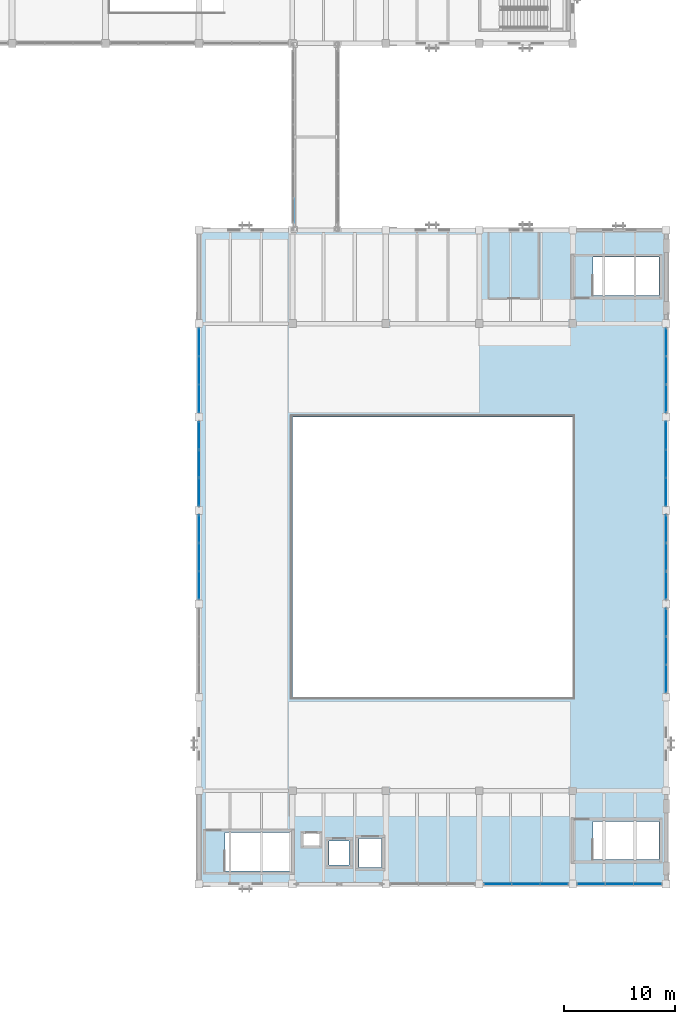
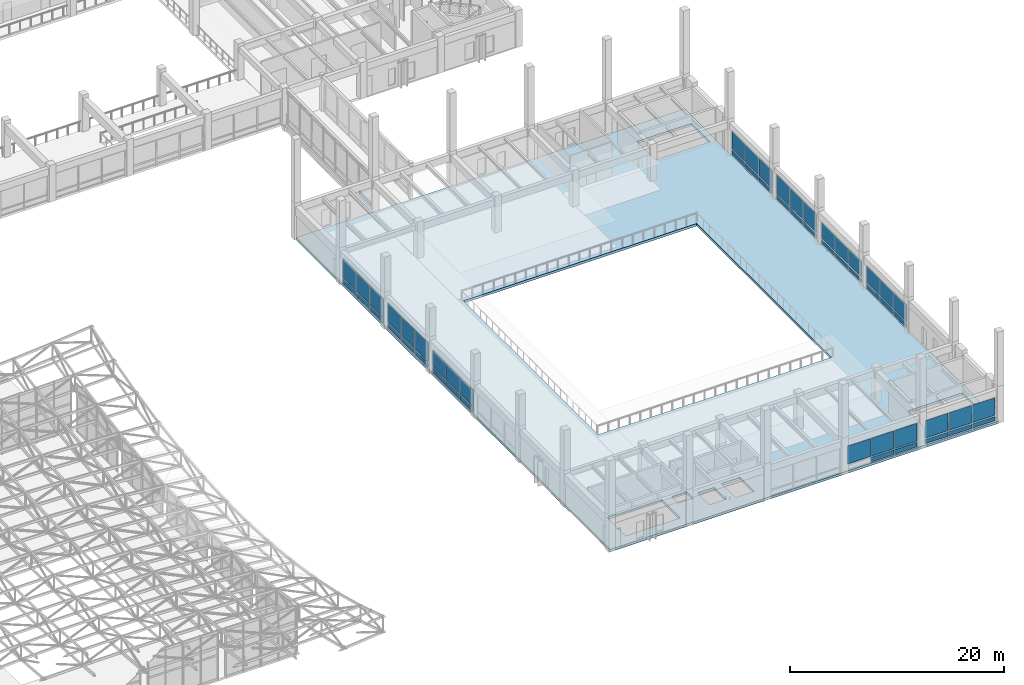
# One storey, part 68 of 132: 54 plates, 1 slab, 10 elements without a shape of their own.
"""IFC4 building model written with IfcOpenShell, lengths in metres."""

from ifc_helpers import new_model, si_unit, direction, frame, origin, origin_2d, place, context, subcontext, project, spatial, polyline, rectangle, outline, extrude, material, layer, layer_set, type_object, element, aggregate, save


model = new_model("IFC4")

# Units and contexts
model_context = context("Model", 3, precision=1e-05, world=origin(), true_north=direction((0.0, 1.0)))
body_context = subcontext(model_context, "Body", "Model", "MODEL_VIEW")
ifc_project = project(units=[si_unit("LENGTHUNIT", "METRE"), si_unit("AREAUNIT", "SQUARE_METRE"), si_unit("VOLUMEUNIT", "CUBIC_METRE"), si_unit("PLANEANGLEUNIT", "RADIAN"), si_unit("MASSUNIT", "GRAM", prefix="KILO")], contexts=[model_context])

# Site, building, storey
site_placement = place(None, origin())
site = spatial("IfcSite", under=ifc_project, at=site_placement, CompositionType="ELEMENT")
building_placement = place(site_placement, origin())
building = spatial("IfcBuilding", under=site, at=building_placement, Name="Cumbredor Promenade Congress Hotel", CompositionType="ELEMENT")
storey_placement = place(building_placement, frame((0.0, 0.0, 7.56005859375)))
storey = spatial("IfcBuildingStorey", under=building, at=storey_placement, Name="L02", CompositionType="ELEMENT", Elevation=7.56005859375)

# Slab
ifc_material_1 = material(Name="Concrete C40/50", Category="concrete")
ifc_layer_1 = layer(ifc_material_1, 0.280029296875, Name="Concrete C40/50", Category="concrete")
ifc_layer_set_1 = layer_set([ifc_layer_1], Name="Concrete C40/50")
slab_type = type_object("IfcSlabType", Name="Gallery Floor Slab 280mm", PredefinedType="FLOOR", material=ifc_layer_set_1)
slab_placement = place(storey_placement, frame((0.0, 0.0, -0.280029296875)))
element("IfcSlab", 1, at=slab_placement, inside=storey, type_object=slab_type, Name="L02 Grand Ballroom Pavilion Floor Slab", PredefinedType="FLOOR", context=body_context, shape_type="SweptSolid", body=[
    extrude(outline(polyline([(142.800048828125, 8.39990234375), (184.800048828125, 8.39990234375), (184.800048828125, 67.199951171875), (142.800048828125, 67.199951171875), (142.800048828125, 8.39990234375)]), holes=[polyline([(145.14990234375, 9.60009765625), (151.050048828125, 9.60009765625), (151.050048828125, 13.050048828125), (145.14990234375, 13.050048828125), (145.14990234375, 9.60009765625)]), polyline([(178.25, 10.60009765625), (184.14990234375, 10.60009765625), (184.14990234375, 14.050048828125), (178.25, 14.050048828125), (178.25, 10.60009765625)]), polyline([(178.25, 61.35009765625), (184.14990234375, 61.35009765625), (184.14990234375, 64.800048828125), (178.25, 64.800048828125), (178.25, 61.35009765625)]), polyline([(154.5, 10.10009765625), (156.300048828125, 10.10009765625), (156.300048828125, 12.300048828125), (154.5, 12.300048828125), (154.5, 10.10009765625)]), polyline([(157.199951171875, 9.89990234375), (159.199951171875, 9.89990234375), (159.199951171875, 12.5), (157.199951171875, 12.5), (157.199951171875, 9.89990234375)]), polyline([(152.10009765625, 11.800048828125), (153.699951171875, 11.800048828125), (153.699951171875, 13.0), (152.10009765625, 13.0), (152.10009765625, 11.800048828125)]), polyline([(151.199951171875, 25.199951171875), (176.39990234375, 25.199951171875), (176.39990234375, 50.39990234375), (151.199951171875, 50.39990234375), (151.199951171875, 25.199951171875)])]), origin(), (0.0, 0.0, 1.0), 0.280029296875),
])

# Curtain wall, plates
ifc_material_2 = material(Name="Thermally broken anodized aluminium and low-E glass", Category="aluminium")
curtain_wall_type_1 = type_object("IfcCurtainWallType", Name="Unitised Bronze Curtain Wall CW-01", PredefinedType="NOTDEFINED", material=ifc_material_2)
curtain_wall_1_placement = place(storey_placement, origin())
curtain_wall_1 = element("IfcCurtainWall", 2, at=curtain_wall_1_placement, inside=storey, type_object=curtain_wall_type_1, Name="L02 Grand Ballroom Pavilion West Curtain Wall 6", PredefinedType="NOTDEFINED")
ifc_material_3 = material(Name="Laminated low-E solar-control glass", Category="glass")
ifc_layer_2 = layer(ifc_material_3, 0.028076171875, Name="Laminated low-E solar-control glass", Category="glass")
ifc_layer_set_2 = layer_set([ifc_layer_2], Name="Laminated low-E solar-control glass")
plate_type_1 = type_object("IfcPlateType", Name="Glazed Vision Panel PNL-01", PredefinedType="CURTAIN_PANEL", material=ifc_layer_set_2)
plate_1_placement = place(storey_placement, frame((142.800048828125, 52.070068359375, 0.784912109375), z_axis=(0.0, 0.0, 1.0), x_axis=(0.0, 1.0, 0.0)))
plate_1 = element("IfcPlate", 3, at=plate_1_placement, type_object=plate_type_1, Name="L02 Grand Ballroom Pavilion West Curtain Wall 6 Glazing Panel 1.2", PredefinedType="CURTAIN_PANEL", context=body_context, shape_type="SweptSolid", body=[
    extrude(rectangle(XDim=2.465087890625, YDim=0.028076171875, at=origin_2d()), origin(), (0.0, 0.0, 1.0), 2.1201171875),
])
plate_2_placement = place(storey_placement, frame((142.800048828125, 54.60009765625, 0.784912109375), z_axis=(0.0, 0.0, 1.0), x_axis=(0.0, 1.0, 0.0)))
plate_2 = element("IfcPlate", 4, at=plate_2_placement, type_object=plate_type_1, Name="L02 Grand Ballroom Pavilion West Curtain Wall 6 Glazing Panel 2.2", PredefinedType="CURTAIN_PANEL", context=body_context, shape_type="SweptSolid", body=[
    extrude(rectangle(XDim=2.465087890625, YDim=0.028076171875, at=origin_2d()), origin(), (0.0, 0.0, 1.0), 2.1201171875),
])
plate_3_placement = place(storey_placement, frame((142.800048828125, 57.1298828125, 0.784912109375), z_axis=(0.0, 0.0, 1.0), x_axis=(0.0, 1.0, 0.0)))
plate_3 = element("IfcPlate", 5, at=plate_3_placement, type_object=plate_type_1, Name="L02 Grand Ballroom Pavilion West Curtain Wall 6 Glazing Panel 3.2", PredefinedType="CURTAIN_PANEL", context=body_context, shape_type="SweptSolid", body=[
    extrude(rectangle(XDim=2.465087890625, YDim=0.028076171875, at=origin_2d()), origin(), (0.0, 0.0, 1.0), 2.1201171875),
])

curtain_wall_2_placement = place(storey_placement, origin())
curtain_wall_2 = element("IfcCurtainWall", 6, at=curtain_wall_2_placement, inside=storey, type_object=curtain_wall_type_1, Name="L02 Grand Ballroom Pavilion East Curtain Wall 5", PredefinedType="NOTDEFINED")
plate_4_placement = place(storey_placement, frame((184.800048828125, 43.669921875, 0.78515625), z_axis=(0.0, 0.0, 1.0), x_axis=(0.0, 1.0, 0.0)))
plate_4 = element("IfcPlate", 7, at=plate_4_placement, type_object=plate_type_1, Name="L02 Grand Ballroom Pavilion East Curtain Wall 5 Glazing Panel 1.2", PredefinedType="CURTAIN_PANEL", context=body_context, shape_type="SweptSolid", body=[
    extrude(rectangle(XDim=2.465087890625, YDim=0.028076171875, at=origin_2d()), origin(), (0.0, 0.0, 1.0), 2.219970703125),
])
plate_5_placement = place(storey_placement, frame((184.800048828125, 46.199951171875, 0.78515625), z_axis=(0.0, 0.0, 1.0), x_axis=(0.0, 1.0, 0.0)))
plate_5 = element("IfcPlate", 8, at=plate_5_placement, type_object=plate_type_1, Name="L02 Grand Ballroom Pavilion East Curtain Wall 5 Glazing Panel 2.2", PredefinedType="CURTAIN_PANEL", context=body_context, shape_type="SweptSolid", body=[
    extrude(rectangle(XDim=2.465087890625, YDim=0.028076171875, at=origin_2d()), origin(), (0.0, 0.0, 1.0), 2.219970703125),
])
plate_6_placement = place(storey_placement, frame((184.800048828125, 48.72998046875, 0.78515625), z_axis=(0.0, 0.0, 1.0), x_axis=(0.0, 1.0, 0.0)))
plate_6 = element("IfcPlate", 9, at=plate_6_placement, type_object=plate_type_1, Name="L02 Grand Ballroom Pavilion East Curtain Wall 5 Glazing Panel 3.2", PredefinedType="CURTAIN_PANEL", context=body_context, shape_type="SweptSolid", body=[
    extrude(rectangle(XDim=2.465087890625, YDim=0.028076171875, at=origin_2d()), origin(), (0.0, 0.0, 1.0), 2.219970703125),
])

curtain_wall_3_placement = place(storey_placement, origin())
curtain_wall_3 = element("IfcCurtainWall", 10, at=curtain_wall_3_placement, inside=storey, type_object=curtain_wall_type_1, Name="L02 Grand Ballroom Pavilion South Curtain Wall 4", PredefinedType="NOTDEFINED")
ifc_layer_3 = layer(ifc_material_3, 0.031982421875, Name="Laminated low-E solar-control glass", Category="glass")
ifc_layer_set_3 = layer_set([ifc_layer_3], Name="Laminated low-E solar-control glass")
plate_type_2 = type_object("IfcPlateType", Name="Glazed Vision Panel PNL-02", PredefinedType="CURTAIN_PANEL", material=ifc_layer_set_3)
plate_7_placement = place(storey_placement, frame((169.669921875, 8.39990234375, 0.794921875), z_axis=(0.0, 0.0, 1.0), x_axis=(1.0, 0.0, 0.0)))
plate_7 = element("IfcPlate", 11, at=plate_7_placement, type_object=plate_type_2, Name="L02 Grand Ballroom Pavilion South Curtain Wall 4 Glazing Panel 1.2", PredefinedType="CURTAIN_PANEL", context=body_context, shape_type="SweptSolid", body=[
    extrude(rectangle(XDim=2.455078125, YDim=0.031982421875, at=origin_2d()), origin(), (0.0, 0.0, 1.0), 2.0400390625),
])
plate_8_placement = place(storey_placement, frame((172.199951171875, 8.39990234375, 0.794921875), z_axis=(0.0, 0.0, 1.0), x_axis=(1.0, 0.0, 0.0)))
plate_8 = element("IfcPlate", 12, at=plate_8_placement, type_object=plate_type_2, Name="L02 Grand Ballroom Pavilion South Curtain Wall 4 Glazing Panel 2.2", PredefinedType="CURTAIN_PANEL", context=body_context, shape_type="SweptSolid", body=[
    extrude(rectangle(XDim=2.455078125, YDim=0.031982421875, at=origin_2d()), origin(), (0.0, 0.0, 1.0), 2.0400390625),
])
plate_9_placement = place(storey_placement, frame((174.72998046875, 8.39990234375, 0.794921875), z_axis=(0.0, 0.0, 1.0), x_axis=(1.0, 0.0, 0.0)))
plate_9 = element("IfcPlate", 13, at=plate_9_placement, type_object=plate_type_2, Name="L02 Grand Ballroom Pavilion South Curtain Wall 4 Glazing Panel 3.2", PredefinedType="CURTAIN_PANEL", context=body_context, shape_type="SweptSolid", body=[
    extrude(rectangle(XDim=2.455078125, YDim=0.031982421875, at=origin_2d()), origin(), (0.0, 0.0, 1.0), 2.0400390625),
])

curtain_wall_4_placement = place(storey_placement, origin())
curtain_wall_4 = element("IfcCurtainWall", 14, at=curtain_wall_4_placement, inside=storey, type_object=curtain_wall_type_1, Name="L02 Grand Ballroom Pavilion West Curtain Wall 4", PredefinedType="NOTDEFINED")
plate_10_placement = place(storey_placement, frame((142.800048828125, 35.27001953125, 0.794921875), z_axis=(0.0, 0.0, 1.0), x_axis=(0.0, 1.0, 0.0)))
plate_10 = element("IfcPlate", 15, at=plate_10_placement, type_object=plate_type_2, Name="L02 Grand Ballroom Pavilion West Curtain Wall 4 Glazing Panel 1.2", PredefinedType="CURTAIN_PANEL", context=body_context, shape_type="SweptSolid", body=[
    extrude(rectangle(XDim=2.455078125, YDim=0.031982421875, at=origin_2d()), origin(), (0.0, 0.0, 1.0), 1.889892578125),
])
plate_11_placement = place(storey_placement, frame((142.800048828125, 37.800048828125, 0.794921875), z_axis=(0.0, 0.0, 1.0), x_axis=(0.0, 1.0, 0.0)))
plate_11 = element("IfcPlate", 16, at=plate_11_placement, type_object=plate_type_2, Name="L02 Grand Ballroom Pavilion West Curtain Wall 4 Glazing Panel 2.2", PredefinedType="CURTAIN_PANEL", context=body_context, shape_type="SweptSolid", body=[
    extrude(rectangle(XDim=2.455078125, YDim=0.031982421875, at=origin_2d()), origin(), (0.0, 0.0, 1.0), 1.889892578125),
])
plate_12_placement = place(storey_placement, frame((142.800048828125, 40.330078125, 0.794921875), z_axis=(0.0, 0.0, 1.0), x_axis=(0.0, 1.0, 0.0)))
plate_12 = element("IfcPlate", 17, at=plate_12_placement, type_object=plate_type_2, Name="L02 Grand Ballroom Pavilion West Curtain Wall 4 Glazing Panel 3.2", PredefinedType="CURTAIN_PANEL", context=body_context, shape_type="SweptSolid", body=[
    extrude(rectangle(XDim=2.455078125, YDim=0.031982421875, at=origin_2d()), origin(), (0.0, 0.0, 1.0), 1.889892578125),
])

curtain_wall_5_placement = place(storey_placement, origin())
curtain_wall_5 = element("IfcCurtainWall", 18, at=curtain_wall_5_placement, inside=storey, type_object=curtain_wall_type_1, Name="L02 Grand Ballroom Pavilion East Curtain Wall 3", PredefinedType="NOTDEFINED")
plate_13_placement = place(storey_placement, frame((184.800048828125, 26.8701171875, 0.794921875), z_axis=(0.0, 0.0, 1.0), x_axis=(0.0, 1.0, 0.0)))
plate_13 = element("IfcPlate", 19, at=plate_13_placement, type_object=plate_type_2, Name="L02 Grand Ballroom Pavilion East Curtain Wall 3 Glazing Panel 1.2", PredefinedType="CURTAIN_PANEL", context=body_context, shape_type="SweptSolid", body=[
    extrude(rectangle(XDim=2.455078125, YDim=0.031982421875, at=origin_2d()), origin(), (0.0, 0.0, 1.0), 1.989990234375),
])
plate_14_placement = place(storey_placement, frame((184.800048828125, 29.39990234375, 0.794921875), z_axis=(0.0, 0.0, 1.0), x_axis=(0.0, 1.0, 0.0)))
plate_14 = element("IfcPlate", 20, at=plate_14_placement, type_object=plate_type_2, Name="L02 Grand Ballroom Pavilion East Curtain Wall 3 Glazing Panel 2.2", PredefinedType="CURTAIN_PANEL", context=body_context, shape_type="SweptSolid", body=[
    extrude(rectangle(XDim=2.455078125, YDim=0.031982421875, at=origin_2d()), origin(), (0.0, 0.0, 1.0), 1.989990234375),
])
plate_15_placement = place(storey_placement, frame((184.800048828125, 31.929931640625, 0.794921875), z_axis=(0.0, 0.0, 1.0), x_axis=(0.0, 1.0, 0.0)))
plate_15 = element("IfcPlate", 21, at=plate_15_placement, type_object=plate_type_2, Name="L02 Grand Ballroom Pavilion East Curtain Wall 3 Glazing Panel 3.2", PredefinedType="CURTAIN_PANEL", context=body_context, shape_type="SweptSolid", body=[
    extrude(rectangle(XDim=2.455078125, YDim=0.031982421875, at=origin_2d()), origin(), (0.0, 0.0, 1.0), 1.989990234375),
])

curtain_wall_6_placement = place(storey_placement, origin())
curtain_wall_6 = element("IfcCurtainWall", 22, at=curtain_wall_6_placement, inside=storey, type_object=curtain_wall_type_1, Name="L02 Grand Ballroom Pavilion East Curtain Wall 6", PredefinedType="NOTDEFINED")
plate_16_placement = place(storey_placement, frame((184.800048828125, 52.070068359375, 0.794921875), z_axis=(0.0, 0.0, 1.0), x_axis=(0.0, 1.0, 0.0)))
plate_16 = element("IfcPlate", 23, at=plate_16_placement, type_object=plate_type_2, Name="L02 Grand Ballroom Pavilion East Curtain Wall 6 Glazing Panel 1.2", PredefinedType="CURTAIN_PANEL", context=body_context, shape_type="SweptSolid", body=[
    extrude(rectangle(XDim=2.455078125, YDim=0.031982421875, at=origin_2d()), origin(), (0.0, 0.0, 1.0), 2.090087890625),
])
plate_17_placement = place(storey_placement, frame((184.800048828125, 54.60009765625, 0.794921875), z_axis=(0.0, 0.0, 1.0), x_axis=(0.0, 1.0, 0.0)))
plate_17 = element("IfcPlate", 24, at=plate_17_placement, type_object=plate_type_2, Name="L02 Grand Ballroom Pavilion East Curtain Wall 6 Glazing Panel 2.2", PredefinedType="CURTAIN_PANEL", context=body_context, shape_type="SweptSolid", body=[
    extrude(rectangle(XDim=2.455078125, YDim=0.031982421875, at=origin_2d()), origin(), (0.0, 0.0, 1.0), 2.090087890625),
])
plate_18_placement = place(storey_placement, frame((184.800048828125, 57.1298828125, 0.794921875), z_axis=(0.0, 0.0, 1.0), x_axis=(0.0, 1.0, 0.0)))
plate_18 = element("IfcPlate", 25, at=plate_18_placement, type_object=plate_type_2, Name="L02 Grand Ballroom Pavilion East Curtain Wall 6 Glazing Panel 3.2", PredefinedType="CURTAIN_PANEL", context=body_context, shape_type="SweptSolid", body=[
    extrude(rectangle(XDim=2.455078125, YDim=0.031982421875, at=origin_2d()), origin(), (0.0, 0.0, 1.0), 2.090087890625),
])

curtain_wall_7_placement = place(storey_placement, origin())
curtain_wall_7 = element("IfcCurtainWall", 26, at=curtain_wall_7_placement, inside=storey, type_object=curtain_wall_type_1, Name="L02 Grand Ballroom Pavilion South Curtain Wall 5", PredefinedType="NOTDEFINED")
ifc_layer_4 = layer(ifc_material_3, 0.028076171875, Name="Laminated low-E solar-control glass", Category="glass")
ifc_layer_set_4 = layer_set([ifc_layer_4], Name="Laminated low-E solar-control glass")
plate_type_3 = type_object("IfcPlateType", Name="Glazed Vision Panel PNL-03", PredefinedType="CURTAIN_PANEL", material=ifc_layer_set_4)
plate_19_placement = place(storey_placement, frame((178.070068359375, 8.39990234375, 0.81005859375), z_axis=(0.0, 0.0, 1.0), x_axis=(1.0, 0.0, 0.0)))
plate_19 = element("IfcPlate", 27, at=plate_19_placement, type_object=plate_type_3, Name="L02 Grand Ballroom Pavilion South Curtain Wall 5 Glazing Panel 1.2", PredefinedType="CURTAIN_PANEL", context=body_context, shape_type="SweptSolid", body=[
    extrude(rectangle(XDim=2.449951171875, YDim=0.028076171875, at=origin_2d()), origin(), (0.0, 0.0, 1.0), 2.0),
])
plate_20_placement = place(storey_placement, frame((180.60009765625, 8.39990234375, 0.81005859375), z_axis=(0.0, 0.0, 1.0), x_axis=(1.0, 0.0, 0.0)))
plate_20 = element("IfcPlate", 28, at=plate_20_placement, type_object=plate_type_3, Name="L02 Grand Ballroom Pavilion South Curtain Wall 5 Glazing Panel 2.2", PredefinedType="CURTAIN_PANEL", context=body_context, shape_type="SweptSolid", body=[
    extrude(rectangle(XDim=2.449951171875, YDim=0.028076171875, at=origin_2d()), origin(), (0.0, 0.0, 1.0), 2.0),
])
plate_21_placement = place(storey_placement, frame((183.1298828125, 8.39990234375, 0.81005859375), z_axis=(0.0, 0.0, 1.0), x_axis=(1.0, 0.0, 0.0)))
plate_21 = element("IfcPlate", 29, at=plate_21_placement, type_object=plate_type_3, Name="L02 Grand Ballroom Pavilion South Curtain Wall 5 Glazing Panel 3.2", PredefinedType="CURTAIN_PANEL", context=body_context, shape_type="SweptSolid", body=[
    extrude(rectangle(XDim=2.449951171875, YDim=0.028076171875, at=origin_2d()), origin(), (0.0, 0.0, 1.0), 2.0),
])

curtain_wall_8_placement = place(storey_placement, origin())
curtain_wall_8 = element("IfcCurtainWall", 30, at=curtain_wall_8_placement, inside=storey, type_object=curtain_wall_type_1, Name="L02 Grand Ballroom Pavilion West Curtain Wall 5", PredefinedType="NOTDEFINED")
plate_22_placement = place(storey_placement, frame((142.800048828125, 43.669921875, 0.81005859375), z_axis=(0.0, 0.0, 1.0), x_axis=(0.0, 1.0, 0.0)))
plate_22 = element("IfcPlate", 31, at=plate_22_placement, type_object=plate_type_3, Name="L02 Grand Ballroom Pavilion West Curtain Wall 5 Glazing Panel 1.2", PredefinedType="CURTAIN_PANEL", context=body_context, shape_type="SweptSolid", body=[
    extrude(rectangle(XDim=2.449951171875, YDim=0.028076171875, at=origin_2d()), origin(), (0.0, 0.0, 1.0), 2.14990234375),
])
plate_23_placement = place(storey_placement, frame((142.800048828125, 46.199951171875, 0.81005859375), z_axis=(0.0, 0.0, 1.0), x_axis=(0.0, 1.0, 0.0)))
plate_23 = element("IfcPlate", 32, at=plate_23_placement, type_object=plate_type_3, Name="L02 Grand Ballroom Pavilion West Curtain Wall 5 Glazing Panel 2.2", PredefinedType="CURTAIN_PANEL", context=body_context, shape_type="SweptSolid", body=[
    extrude(rectangle(XDim=2.449951171875, YDim=0.028076171875, at=origin_2d()), origin(), (0.0, 0.0, 1.0), 2.14990234375),
])
plate_24_placement = place(storey_placement, frame((142.800048828125, 48.72998046875, 0.81005859375), z_axis=(0.0, 0.0, 1.0), x_axis=(0.0, 1.0, 0.0)))
plate_24 = element("IfcPlate", 33, at=plate_24_placement, type_object=plate_type_3, Name="L02 Grand Ballroom Pavilion West Curtain Wall 5 Glazing Panel 3.2", PredefinedType="CURTAIN_PANEL", context=body_context, shape_type="SweptSolid", body=[
    extrude(rectangle(XDim=2.449951171875, YDim=0.028076171875, at=origin_2d()), origin(), (0.0, 0.0, 1.0), 2.14990234375),
])

curtain_wall_9_placement = place(storey_placement, origin())
curtain_wall_9 = element("IfcCurtainWall", 34, at=curtain_wall_9_placement, inside=storey, type_object=curtain_wall_type_1, Name="L02 Grand Ballroom Pavilion East Curtain Wall 4", PredefinedType="NOTDEFINED")
plate_25_placement = place(storey_placement, frame((184.800048828125, 35.27001953125, 0.81005859375), z_axis=(0.0, 0.0, 1.0), x_axis=(0.0, 1.0, 0.0)))
plate_25 = element("IfcPlate", 35, at=plate_25_placement, type_object=plate_type_3, Name="L02 Grand Ballroom Pavilion East Curtain Wall 4 Glazing Panel 1.2", PredefinedType="CURTAIN_PANEL", context=body_context, shape_type="SweptSolid", body=[
    extrude(rectangle(XDim=2.449951171875, YDim=0.028076171875, at=origin_2d()), origin(), (0.0, 0.0, 1.0), 1.840087890625),
])
plate_26_placement = place(storey_placement, frame((184.800048828125, 37.800048828125, 0.81005859375), z_axis=(0.0, 0.0, 1.0), x_axis=(0.0, 1.0, 0.0)))
plate_26 = element("IfcPlate", 36, at=plate_26_placement, type_object=plate_type_3, Name="L02 Grand Ballroom Pavilion East Curtain Wall 4 Glazing Panel 2.2", PredefinedType="CURTAIN_PANEL", context=body_context, shape_type="SweptSolid", body=[
    extrude(rectangle(XDim=2.449951171875, YDim=0.028076171875, at=origin_2d()), origin(), (0.0, 0.0, 1.0), 1.840087890625),
])
plate_27_placement = place(storey_placement, frame((184.800048828125, 40.330078125, 0.81005859375), z_axis=(0.0, 0.0, 1.0), x_axis=(0.0, 1.0, 0.0)))
plate_27 = element("IfcPlate", 37, at=plate_27_placement, type_object=plate_type_3, Name="L02 Grand Ballroom Pavilion East Curtain Wall 4 Glazing Panel 3.2", PredefinedType="CURTAIN_PANEL", context=body_context, shape_type="SweptSolid", body=[
    extrude(rectangle(XDim=2.449951171875, YDim=0.028076171875, at=origin_2d()), origin(), (0.0, 0.0, 1.0), 1.840087890625),
])

# Plate
ifc_material_4 = material(Name="Thermally broken anodized aluminium", Category="aluminium")
ifc_layer_5 = layer(ifc_material_4, 0.0400390625, Name="Thermally broken anodized aluminium", Category="aluminium")
ifc_layer_set_5 = layer_set([ifc_layer_5], Name="Thermally broken anodized aluminium")
plate_type_4 = type_object("IfcPlateType", Name="Insulated Spandrel Panel PNL-05", PredefinedType="CURTAIN_PANEL", material=ifc_layer_set_5)
plate_28_placement = place(storey_placement, frame((178.070068359375, 8.39990234375, 0.18017578125), z_axis=(0.0, 0.0, 1.0), x_axis=(1.0, 0.0, 0.0)))
plate_28 = element("IfcPlate", 38, at=plate_28_placement, type_object=plate_type_4, Name="L02 Grand Ballroom Pavilion South Curtain Wall 5 Spandrel Panel 1.1", PredefinedType="CURTAIN_PANEL", context=body_context, shape_type="SweptSolid", body=[
    extrude(rectangle(XDim=2.449951171875, YDim=0.0400390625, at=origin_2d()), origin(), (0.0, 0.0, 1.0), 0.449951171875),
])

plate_29_placement = place(storey_placement, frame((180.60009765625, 8.39990234375, 0.18017578125), z_axis=(0.0, 0.0, 1.0), x_axis=(1.0, 0.0, 0.0)))
plate_29 = element("IfcPlate", 39, at=plate_29_placement, type_object=plate_type_4, Name="L02 Grand Ballroom Pavilion South Curtain Wall 5 Spandrel Panel 2.1", PredefinedType="CURTAIN_PANEL", context=body_context, shape_type="SweptSolid", body=[
    extrude(rectangle(XDim=2.449951171875, YDim=0.0400390625, at=origin_2d()), origin(), (0.0, 0.0, 1.0), 0.449951171875),
])

plate_30_placement = place(storey_placement, frame((183.1298828125, 8.39990234375, 0.18017578125), z_axis=(0.0, 0.0, 1.0), x_axis=(1.0, 0.0, 0.0)))
plate_30 = element("IfcPlate", 40, at=plate_30_placement, type_object=plate_type_4, Name="L02 Grand Ballroom Pavilion South Curtain Wall 5 Spandrel Panel 3.1", PredefinedType="CURTAIN_PANEL", context=body_context, shape_type="SweptSolid", body=[
    extrude(rectangle(XDim=2.449951171875, YDim=0.0400390625, at=origin_2d()), origin(), (0.0, 0.0, 1.0), 0.449951171875),
])

aggregate(curtain_wall_7, [plate_28, plate_19, plate_29, plate_20, plate_30, plate_21])

plate_31_placement = place(storey_placement, frame((142.800048828125, 35.27001953125, 0.14501953125), z_axis=(0.0, 0.0, 1.0), x_axis=(0.0, 1.0, 0.0)))
plate_31 = element("IfcPlate", 41, at=plate_31_placement, type_object=plate_type_4, Name="L02 Grand Ballroom Pavilion West Curtain Wall 4 Spandrel Panel 1.1", PredefinedType="CURTAIN_PANEL", context=body_context, shape_type="SweptSolid", body=[
    extrude(rectangle(XDim=2.455078125, YDim=0.0400390625, at=origin_2d()), origin(), (0.0, 0.0, 1.0), 0.5),
])

plate_32_placement = place(storey_placement, frame((142.800048828125, 37.800048828125, 0.14501953125), z_axis=(0.0, 0.0, 1.0), x_axis=(0.0, 1.0, 0.0)))
plate_32 = element("IfcPlate", 42, at=plate_32_placement, type_object=plate_type_4, Name="L02 Grand Ballroom Pavilion West Curtain Wall 4 Spandrel Panel 2.1", PredefinedType="CURTAIN_PANEL", context=body_context, shape_type="SweptSolid", body=[
    extrude(rectangle(XDim=2.455078125, YDim=0.0400390625, at=origin_2d()), origin(), (0.0, 0.0, 1.0), 0.5),
])

plate_33_placement = place(storey_placement, frame((142.800048828125, 40.330078125, 0.14501953125), z_axis=(0.0, 0.0, 1.0), x_axis=(0.0, 1.0, 0.0)))
plate_33 = element("IfcPlate", 43, at=plate_33_placement, type_object=plate_type_4, Name="L02 Grand Ballroom Pavilion West Curtain Wall 4 Spandrel Panel 3.1", PredefinedType="CURTAIN_PANEL", context=body_context, shape_type="SweptSolid", body=[
    extrude(rectangle(XDim=2.455078125, YDim=0.0400390625, at=origin_2d()), origin(), (0.0, 0.0, 1.0), 0.5),
])

aggregate(curtain_wall_4, [plate_31, plate_10, plate_32, plate_11, plate_33, plate_12])

plate_34_placement = place(storey_placement, frame((142.800048828125, 52.070068359375, 0.125), z_axis=(0.0, 0.0, 1.0), x_axis=(0.0, 1.0, 0.0)))
plate_34 = element("IfcPlate", 44, at=plate_34_placement, type_object=plate_type_4, Name="L02 Grand Ballroom Pavilion West Curtain Wall 6 Spandrel Panel 1.1", PredefinedType="CURTAIN_PANEL", context=body_context, shape_type="SweptSolid", body=[
    extrude(rectangle(XDim=2.465087890625, YDim=0.0400390625, at=origin_2d()), origin(), (0.0, 0.0, 1.0), 0.530029296875),
])

plate_35_placement = place(storey_placement, frame((142.800048828125, 54.60009765625, 0.125), z_axis=(0.0, 0.0, 1.0), x_axis=(0.0, 1.0, 0.0)))
plate_35 = element("IfcPlate", 45, at=plate_35_placement, type_object=plate_type_4, Name="L02 Grand Ballroom Pavilion West Curtain Wall 6 Spandrel Panel 2.1", PredefinedType="CURTAIN_PANEL", context=body_context, shape_type="SweptSolid", body=[
    extrude(rectangle(XDim=2.465087890625, YDim=0.0400390625, at=origin_2d()), origin(), (0.0, 0.0, 1.0), 0.530029296875),
])

plate_36_placement = place(storey_placement, frame((142.800048828125, 57.1298828125, 0.125), z_axis=(0.0, 0.0, 1.0), x_axis=(0.0, 1.0, 0.0)))
plate_36 = element("IfcPlate", 46, at=plate_36_placement, type_object=plate_type_4, Name="L02 Grand Ballroom Pavilion West Curtain Wall 6 Spandrel Panel 3.1", PredefinedType="CURTAIN_PANEL", context=body_context, shape_type="SweptSolid", body=[
    extrude(rectangle(XDim=2.465087890625, YDim=0.0400390625, at=origin_2d()), origin(), (0.0, 0.0, 1.0), 0.530029296875),
])

aggregate(curtain_wall_1, [plate_34, plate_1, plate_35, plate_2, plate_36, plate_3])

plate_37_placement = place(storey_placement, frame((184.800048828125, 35.27001953125, 0.18017578125), z_axis=(0.0, 0.0, 1.0), x_axis=(0.0, 1.0, 0.0)))
plate_37 = element("IfcPlate", 47, at=plate_37_placement, type_object=plate_type_4, Name="L02 Grand Ballroom Pavilion East Curtain Wall 4 Spandrel Panel 1.1", PredefinedType="CURTAIN_PANEL", context=body_context, shape_type="SweptSolid", body=[
    extrude(rectangle(XDim=2.449951171875, YDim=0.0400390625, at=origin_2d()), origin(), (0.0, 0.0, 1.0), 0.449951171875),
])

plate_38_placement = place(storey_placement, frame((184.800048828125, 37.800048828125, 0.18017578125), z_axis=(0.0, 0.0, 1.0), x_axis=(0.0, 1.0, 0.0)))
plate_38 = element("IfcPlate", 48, at=plate_38_placement, type_object=plate_type_4, Name="L02 Grand Ballroom Pavilion East Curtain Wall 4 Spandrel Panel 2.1", PredefinedType="CURTAIN_PANEL", context=body_context, shape_type="SweptSolid", body=[
    extrude(rectangle(XDim=2.449951171875, YDim=0.0400390625, at=origin_2d()), origin(), (0.0, 0.0, 1.0), 0.449951171875),
])

plate_39_placement = place(storey_placement, frame((184.800048828125, 40.330078125, 0.18017578125), z_axis=(0.0, 0.0, 1.0), x_axis=(0.0, 1.0, 0.0)))
plate_39 = element("IfcPlate", 49, at=plate_39_placement, type_object=plate_type_4, Name="L02 Grand Ballroom Pavilion East Curtain Wall 4 Spandrel Panel 3.1", PredefinedType="CURTAIN_PANEL", context=body_context, shape_type="SweptSolid", body=[
    extrude(rectangle(XDim=2.449951171875, YDim=0.0400390625, at=origin_2d()), origin(), (0.0, 0.0, 1.0), 0.449951171875),
])

aggregate(curtain_wall_9, [plate_37, plate_25, plate_38, plate_26, plate_39, plate_27])

plate_40_placement = place(storey_placement, frame((184.800048828125, 52.070068359375, 0.14501953125), z_axis=(0.0, 0.0, 1.0), x_axis=(0.0, 1.0, 0.0)))
plate_40 = element("IfcPlate", 50, at=plate_40_placement, type_object=plate_type_4, Name="L02 Grand Ballroom Pavilion East Curtain Wall 6 Spandrel Panel 1.1", PredefinedType="CURTAIN_PANEL", context=body_context, shape_type="SweptSolid", body=[
    extrude(rectangle(XDim=2.455078125, YDim=0.0400390625, at=origin_2d()), origin(), (0.0, 0.0, 1.0), 0.5),
])

plate_41_placement = place(storey_placement, frame((184.800048828125, 54.60009765625, 0.14501953125), z_axis=(0.0, 0.0, 1.0), x_axis=(0.0, 1.0, 0.0)))
plate_41 = element("IfcPlate", 51, at=plate_41_placement, type_object=plate_type_4, Name="L02 Grand Ballroom Pavilion East Curtain Wall 6 Spandrel Panel 2.1", PredefinedType="CURTAIN_PANEL", context=body_context, shape_type="SweptSolid", body=[
    extrude(rectangle(XDim=2.455078125, YDim=0.0400390625, at=origin_2d()), origin(), (0.0, 0.0, 1.0), 0.5),
])

plate_42_placement = place(storey_placement, frame((184.800048828125, 57.1298828125, 0.14501953125), z_axis=(0.0, 0.0, 1.0), x_axis=(0.0, 1.0, 0.0)))
plate_42 = element("IfcPlate", 52, at=plate_42_placement, type_object=plate_type_4, Name="L02 Grand Ballroom Pavilion East Curtain Wall 6 Spandrel Panel 3.1", PredefinedType="CURTAIN_PANEL", context=body_context, shape_type="SweptSolid", body=[
    extrude(rectangle(XDim=2.455078125, YDim=0.0400390625, at=origin_2d()), origin(), (0.0, 0.0, 1.0), 0.5),
])

aggregate(curtain_wall_6, [plate_40, plate_16, plate_41, plate_17, plate_42, plate_18])

ifc_layer_6 = layer(ifc_material_4, 0.0400390625, Name="Thermally broken anodized aluminium", Category="aluminium")
ifc_layer_set_6 = layer_set([ifc_layer_6], Name="Thermally broken anodized aluminium")
plate_type_5 = type_object("IfcPlateType", Name="Insulated Spandrel Panel PNL-06", PredefinedType="CURTAIN_PANEL", material=ifc_layer_set_6)
plate_43_placement = place(storey_placement, frame((172.199951171875, 8.39990234375, 0.14501953125), z_axis=(0.0, 0.0, 1.0), x_axis=(1.0, 0.0, 0.0)))
plate_43 = element("IfcPlate", 53, at=plate_43_placement, type_object=plate_type_5, Name="L02 Grand Ballroom Pavilion South Curtain Wall 4 Spandrel Panel 2.1", PredefinedType="CURTAIN_PANEL", context=body_context, shape_type="SweptSolid", body=[
    extrude(rectangle(XDim=2.455078125, YDim=0.0400390625, at=origin_2d()), origin(), (0.0, 0.0, 1.0), 0.5),
])

plate_44_placement = place(storey_placement, frame((174.72998046875, 8.39990234375, 0.14501953125), z_axis=(0.0, 0.0, 1.0), x_axis=(1.0, 0.0, 0.0)))
plate_44 = element("IfcPlate", 54, at=plate_44_placement, type_object=plate_type_5, Name="L02 Grand Ballroom Pavilion South Curtain Wall 4 Spandrel Panel 3.1", PredefinedType="CURTAIN_PANEL", context=body_context, shape_type="SweptSolid", body=[
    extrude(rectangle(XDim=2.455078125, YDim=0.0400390625, at=origin_2d()), origin(), (0.0, 0.0, 1.0), 0.5),
])

aggregate(curtain_wall_3, [plate_7, plate_43, plate_8, plate_44, plate_9])

plate_45_placement = place(storey_placement, frame((142.800048828125, 43.669921875, 0.18017578125), z_axis=(0.0, 0.0, 1.0), x_axis=(0.0, 1.0, 0.0)))
plate_45 = element("IfcPlate", 55, at=plate_45_placement, type_object=plate_type_5, Name="L02 Grand Ballroom Pavilion West Curtain Wall 5 Spandrel Panel 1.1", PredefinedType="CURTAIN_PANEL", context=body_context, shape_type="SweptSolid", body=[
    extrude(rectangle(XDim=2.449951171875, YDim=0.0400390625, at=origin_2d()), origin(), (0.0, 0.0, 1.0), 0.449951171875),
])

plate_46_placement = place(storey_placement, frame((142.800048828125, 46.199951171875, 0.18017578125), z_axis=(0.0, 0.0, 1.0), x_axis=(0.0, 1.0, 0.0)))
plate_46 = element("IfcPlate", 56, at=plate_46_placement, type_object=plate_type_5, Name="L02 Grand Ballroom Pavilion West Curtain Wall 5 Spandrel Panel 2.1", PredefinedType="CURTAIN_PANEL", context=body_context, shape_type="SweptSolid", body=[
    extrude(rectangle(XDim=2.449951171875, YDim=0.0400390625, at=origin_2d()), origin(), (0.0, 0.0, 1.0), 0.449951171875),
])

plate_47_placement = place(storey_placement, frame((142.800048828125, 48.72998046875, 0.18017578125), z_axis=(0.0, 0.0, 1.0), x_axis=(0.0, 1.0, 0.0)))
plate_47 = element("IfcPlate", 57, at=plate_47_placement, type_object=plate_type_5, Name="L02 Grand Ballroom Pavilion West Curtain Wall 5 Spandrel Panel 3.1", PredefinedType="CURTAIN_PANEL", context=body_context, shape_type="SweptSolid", body=[
    extrude(rectangle(XDim=2.449951171875, YDim=0.0400390625, at=origin_2d()), origin(), (0.0, 0.0, 1.0), 0.449951171875),
])

aggregate(curtain_wall_8, [plate_45, plate_22, plate_46, plate_23, plate_47, plate_24])

plate_48_placement = place(storey_placement, frame((184.800048828125, 26.8701171875, 0.14501953125), z_axis=(0.0, 0.0, 1.0), x_axis=(0.0, 1.0, 0.0)))
plate_48 = element("IfcPlate", 58, at=plate_48_placement, type_object=plate_type_5, Name="L02 Grand Ballroom Pavilion East Curtain Wall 3 Spandrel Panel 1.1", PredefinedType="CURTAIN_PANEL", context=body_context, shape_type="SweptSolid", body=[
    extrude(rectangle(XDim=2.455078125, YDim=0.0400390625, at=origin_2d()), origin(), (0.0, 0.0, 1.0), 0.5),
])

plate_49_placement = place(storey_placement, frame((184.800048828125, 29.39990234375, 0.14501953125), z_axis=(0.0, 0.0, 1.0), x_axis=(0.0, 1.0, 0.0)))
plate_49 = element("IfcPlate", 59, at=plate_49_placement, type_object=plate_type_5, Name="L02 Grand Ballroom Pavilion East Curtain Wall 3 Spandrel Panel 2.1", PredefinedType="CURTAIN_PANEL", context=body_context, shape_type="SweptSolid", body=[
    extrude(rectangle(XDim=2.455078125, YDim=0.0400390625, at=origin_2d()), origin(), (0.0, 0.0, 1.0), 0.5),
])

plate_50_placement = place(storey_placement, frame((184.800048828125, 31.929931640625, 0.14501953125), z_axis=(0.0, 0.0, 1.0), x_axis=(0.0, 1.0, 0.0)))
plate_50 = element("IfcPlate", 60, at=plate_50_placement, type_object=plate_type_5, Name="L02 Grand Ballroom Pavilion East Curtain Wall 3 Spandrel Panel 3.1", PredefinedType="CURTAIN_PANEL", context=body_context, shape_type="SweptSolid", body=[
    extrude(rectangle(XDim=2.455078125, YDim=0.0400390625, at=origin_2d()), origin(), (0.0, 0.0, 1.0), 0.5),
])

aggregate(curtain_wall_5, [plate_48, plate_13, plate_49, plate_14, plate_50, plate_15])

plate_51_placement = place(storey_placement, frame((184.800048828125, 43.669921875, 0.125), z_axis=(0.0, 0.0, 1.0), x_axis=(0.0, 1.0, 0.0)))
plate_51 = element("IfcPlate", 61, at=plate_51_placement, type_object=plate_type_5, Name="L02 Grand Ballroom Pavilion East Curtain Wall 5 Spandrel Panel 1.1", PredefinedType="CURTAIN_PANEL", context=body_context, shape_type="SweptSolid", body=[
    extrude(rectangle(XDim=2.465087890625, YDim=0.0400390625, at=origin_2d()), origin(), (0.0, 0.0, 1.0), 0.530029296875),
])

plate_52_placement = place(storey_placement, frame((184.800048828125, 46.199951171875, 0.125), z_axis=(0.0, 0.0, 1.0), x_axis=(0.0, 1.0, 0.0)))
plate_52 = element("IfcPlate", 62, at=plate_52_placement, type_object=plate_type_5, Name="L02 Grand Ballroom Pavilion East Curtain Wall 5 Spandrel Panel 2.1", PredefinedType="CURTAIN_PANEL", context=body_context, shape_type="SweptSolid", body=[
    extrude(rectangle(XDim=2.465087890625, YDim=0.0400390625, at=origin_2d()), origin(), (0.0, 0.0, 1.0), 0.530029296875),
])

plate_53_placement = place(storey_placement, frame((184.800048828125, 48.72998046875, 0.125), z_axis=(0.0, 0.0, 1.0), x_axis=(0.0, 1.0, 0.0)))
plate_53 = element("IfcPlate", 63, at=plate_53_placement, type_object=plate_type_5, Name="L02 Grand Ballroom Pavilion East Curtain Wall 5 Spandrel Panel 3.1", PredefinedType="CURTAIN_PANEL", context=body_context, shape_type="SweptSolid", body=[
    extrude(rectangle(XDim=2.465087890625, YDim=0.0400390625, at=origin_2d()), origin(), (0.0, 0.0, 1.0), 0.530029296875),
])

aggregate(curtain_wall_2, [plate_51, plate_4, plate_52, plate_5, plate_53, plate_6])

# Curtain wall, plate
curtain_wall_type_2 = type_object("IfcCurtainWallType", Name="Unitised Bridge Glazing Screen CW-05", PredefinedType="NOTDEFINED", material=ifc_material_2)
curtain_wall_10_placement = place(storey_placement, origin())
curtain_wall_10 = element("IfcCurtainWall", 64, at=curtain_wall_10_placement, inside=storey, type_object=curtain_wall_type_2, Name="L02 East Ballroom-to-Forum Glazed Bridge West Glazing Screen", PredefinedType="NOTDEFINED")
plate_54_placement = place(storey_placement, frame((151.280029296875, 68.9658203125, 0.125), z_axis=(0.0, 0.0, 1.0), x_axis=(0.0, 1.0, 0.0)))
plate_54 = element("IfcPlate", 65, at=plate_54_placement, type_object=plate_type_5, Name="L02 East Ballroom-to-Forum Glazed Bridge West Glazing Screen Spandrel Panel 1.1", PredefinedType="CURTAIN_PANEL", context=body_context, shape_type="SweptSolid", body=[
    extrude(rectangle(XDim=2.146484375, YDim=0.0400390625, at=origin_2d()), origin(), (0.0, 0.0, 1.0), 0.530029296875),
])
aggregate(curtain_wall_10, [plate_54])

save(model, "model.ifc")
